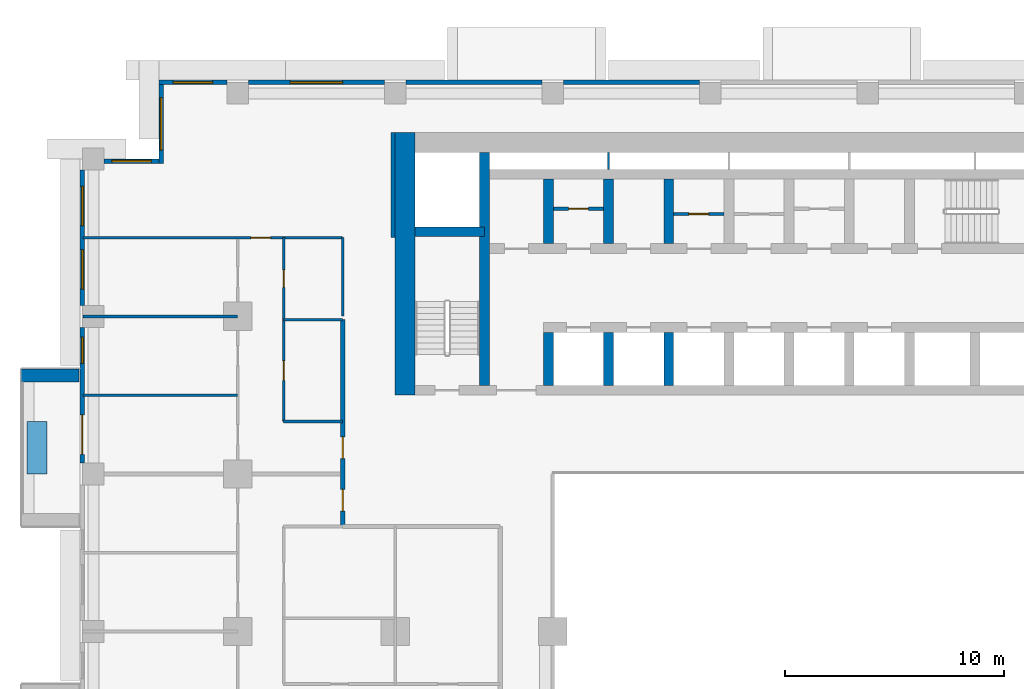
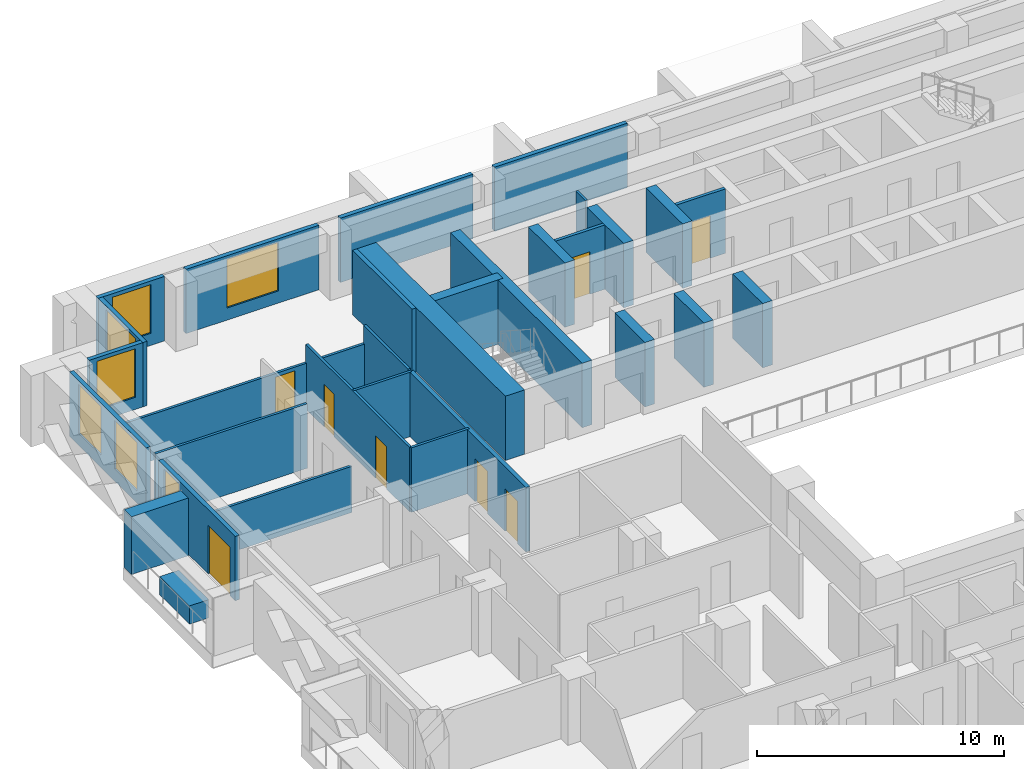
# One storey, part 9 of 17: 31 walls, 8 doors, 7 windows, 15 openings.
"""IFC4 building model written with IfcOpenShell, lengths in metres."""

from ifc_helpers import new_model, si_unit, direction, frame, frame_2d, origin, place, context, subcontext, project, spatial, rectangle, extrude, material, layer, layer_set, type_object, element, fill, save


model = new_model("IFC4")

# Units and contexts
model_context = context("Model", 3, precision=1e-05, world=origin(), true_north=direction((0.0, 1.0)))
body_context = subcontext(model_context, "Body", "Model", "MODEL_VIEW")
ifc_project = project(units=[si_unit("LENGTHUNIT", "METRE"), si_unit("AREAUNIT", "SQUARE_METRE"), si_unit("VOLUMEUNIT", "CUBIC_METRE"), si_unit("PLANEANGLEUNIT", "RADIAN"), si_unit("MASSUNIT", "GRAM", prefix="KILO")], contexts=[model_context])

# Site, building, storey
site_placement = place(None, origin())
site = spatial("IfcSite", under=ifc_project, at=site_placement, CompositionType="ELEMENT")
building_placement = place(site_placement, origin())
building = spatial("IfcBuilding", under=site, at=building_placement, Name="Saffron Iwan Residences", CompositionType="ELEMENT")
storey_placement = place(building_placement, frame((0.0, 0.0, 76.0)))
storey = spatial("IfcBuildingStorey", under=building, at=storey_placement, Name="L19", CompositionType="ELEMENT", Elevation=76.0)

# Walls
ifc_material_1 = material(Name="Concrete C50/60 white painted", Category="concrete")
ifc_layer_1 = layer(ifc_material_1, 0.60009765625)
ifc_layer_set_1 = layer_set([ifc_layer_1], Name="Concrete C50/60 white painted")
wall_type_1 = type_object("IfcWallType", Name="BALCONY FIN 600", PredefinedType="SOLIDWALL", material=ifc_layer_set_1)
wall_1_placement = place(storey_placement, frame((14.35009765625, 66.89990234375, 0.0), z_axis=(0.0, 0.0, 1.0), x_axis=(-1.0, 0.0, 0.0)))
element("IfcWall", 1, at=wall_1_placement, inside=storey, type_object=wall_type_1, Name="Balcony fin L19 F8-0a", PredefinedType="SOLIDWALL", context=body_context, shape_type="SweptSolid", body=[
    extrude(rectangle(XDim=2.650146484375, YDim=0.60009765625, at=frame_2d((1.3251953125, 0.0))), origin(), (0.0, 0.0, 1.0), 2.85009765625),
])
ifc_material_2 = material(Name="Concrete C35/45 white painted", Category="concrete")
ifc_layer_2 = layer(ifc_material_2, 0.14990234375)
ifc_layer_set_2 = layer_set([ifc_layer_2], Name="Concrete C35/45 white painted")
wall_type_2 = type_object("IfcWallType", Name="BALCONY PLANTER", PredefinedType="SOLIDWALL", material=ifc_layer_set_2)
wall_2_placement = place(storey_placement, frame((12.425048828125, 64.800048828125, 0.0), z_axis=(0.0, 0.0, 1.0), x_axis=(0.0, -1.0, 0.0)))
element("IfcWall", 2, at=wall_2_placement, inside=storey, type_object=wall_type_2, Name="PLANTER L19 F8-0", PredefinedType="SOLIDWALL", context=body_context, shape_type="SweptSolid", body=[
    extrude(rectangle(XDim=2.400146484375, YDim=0.89990234375, at=frame_2d((1.2001953125, 0.0))), origin(), (0.0, 0.0, 1.0), 0.89990234375),
])

# Wall, opening, door
ifc_material_3 = material(Name="Fire-rated plasterboard partition")
ifc_layer_3 = layer(ifc_material_3, 0.14990234375)
ifc_layer_set_3 = layer_set([ifc_layer_3], Name="Fire-rated plasterboard partition")
wall_type_3 = type_object("IfcWallType", Name="Core partition 150", PredefinedType="PARTITIONING", material=ifc_layer_set_3)
wall_3_placement = place(storey_placement, frame((36.02490234375, 74.51806640625, 0.0), z_axis=(0.0, 0.0, 1.0), x_axis=(1.0, 0.0, 0.0)))
wall_3 = element("IfcWall", 3, at=wall_3_placement, inside=storey, type_object=wall_type_3, Name="Core partition P01", PredefinedType="PARTITIONING", context=body_context, shape_type="SweptSolid", body=[
    extrude(rectangle(XDim=2.300048828125, YDim=0.14990234375, at=frame_2d((1.14990234375, 0.0))), origin(), (0.0, 0.0, 1.0), 3.179931640625),
])
opening_1_placement = place(wall_3_placement, frame((0.699951171875, 0.0, 0.0)))
opening_1 = element("IfcOpeningElement", 4, at=opening_1_placement, cuts=wall_3, Name="Opening SB", PredefinedType="OPENING", context=body_context, shape_type="SweptSolid", body=[
    extrude(rectangle(XDim=0.89990234375, YDim=2.10009765625, at=frame_2d((0.449951171875, 1.050048828125))), frame((0.0, 0.0849609375, 0.0), z_axis=(0.0, -1.0, 0.0), x_axis=(1.0, 0.0, 0.0)), (0.0, 0.0, 1.0), 0.169921875),
])
ifc_material_4 = material(Name="Steel fire door", Category="steel")
door_type_1 = type_object("IfcDoorType", Name="Store door 900", OperationType="NOTDEFINED", PredefinedType="DOOR", material=ifc_material_4)
door_1_placement = place(opening_1_placement, origin())
door_1 = element("IfcDoor", 5, at=door_1_placement, inside=storey, type_object=door_type_1, Name="Door Equipment store", OperationType="SINGLE_SWING_RIGHT", OverallHeight=2.10009765625, OverallWidth=0.89990234375, PredefinedType="DOOR", context=body_context, shape_type="SweptSolid", body=[
    extrude(rectangle(XDim=0.89990234375, YDim=2.10009765625, at=frame_2d((0.449951171875, 1.050048828125))), frame((0.0, 0.02490234375, 0.0), z_axis=(0.0, -1.0, 0.0), x_axis=(1.0, 0.0, 0.0)), (0.0, 0.0, 1.0), 0.050048828125),
])
fill(opening_1, door_1)

wall_4_placement = place(storey_placement, frame((41.52490234375, 74.281982421875, 0.0), z_axis=(0.0, 0.0, 1.0), x_axis=(1.0, 0.0, 0.0)))
wall_4 = element("IfcWall", 6, at=wall_4_placement, inside=storey, type_object=wall_type_3, Name="Core partition P02", PredefinedType="PARTITIONING", context=body_context, shape_type="SweptSolid", body=[
    extrude(rectangle(XDim=2.300048828125, YDim=0.14990234375, at=frame_2d((1.14990234375, 0.0))), origin(), (0.0, 0.0, 1.0), 3.179931640625),
])
opening_2_placement = place(wall_4_placement, frame((0.699951171875, 0.0, 0.0)))
opening_2 = element("IfcOpeningElement", 7, at=opening_2_placement, cuts=wall_4, Name="Opening SB", PredefinedType="OPENING", context=body_context, shape_type="SweptSolid", body=[
    extrude(rectangle(XDim=0.89990234375, YDim=2.10009765625, at=frame_2d((0.449951171875, 1.050048828125))), frame((0.0, 0.0849609375, 0.0), z_axis=(0.0, -1.0, 0.0), x_axis=(1.0, 0.0, 0.0)), (0.0, 0.0, 1.0), 0.169921875),
])
door_2_placement = place(opening_2_placement, origin())
door_2 = element("IfcDoor", 8, at=door_2_placement, inside=storey, type_object=door_type_1, Name="Door Spares store", OperationType="SINGLE_SWING_LEFT", OverallHeight=2.10009765625, OverallWidth=0.89990234375, PredefinedType="DOOR", context=body_context, shape_type="SweptSolid", body=[
    extrude(rectangle(XDim=0.89990234375, YDim=2.10009765625, at=frame_2d((0.449951171875, 1.050048828125))), frame((0.0, 0.02490234375, 0.0), z_axis=(0.0, -1.0, 0.0), x_axis=(1.0, 0.0, 0.0)), (0.0, 0.0, 1.0), 0.050048828125),
])
fill(opening_2, door_2)

# Walls
ifc_material_5 = material(Name="Concrete C40/50", Category="concrete")
ifc_layer_4 = layer(ifc_material_5, 0.199951171875)
ifc_layer_set_4 = layer_set([ifc_layer_4], Name="Concrete C40/50")
wall_type_4 = type_object("IfcWallType", Name="EXTERNAL WALL 200", PredefinedType="SOLIDWALL", material=ifc_layer_set_4)
for number, where, z_axis, x_axis, name in (
    (9, (42.699951171875, 80.300048828125, 0.0), (0.0, 0.0, 1.0), (-1.0, 0.0, 0.0), "External wall L19 F5.6"),
    (10, (35.5, 80.300048828125, 0.0), (0.0, 0.0, 1.0), (-1.0, 0.0, 0.0), "External wall L19 F5.7"),
):
    element("IfcWall", number, at=place(storey_placement, frame(where, z_axis=z_axis, x_axis=x_axis)), inside=storey, type_object=wall_type_4, Name=name, PredefinedType="SOLIDWALL", context=body_context, shape_type="SweptSolid", body=[
        extrude(rectangle(XDim=6.199951171875, YDim=0.199951171875, at=frame_2d((3.10009765625, 0.0))), origin(), (0.0, 0.0, 1.0), 3.179931640625),
    ])

# Wall, opening, window
wall_5_placement = place(storey_placement, frame((28.300048828125, 80.300048828125, 0.0), z_axis=(0.0, 0.0, 1.0), x_axis=(-1.0, 0.0, 0.0)))
wall_5 = element("IfcWall", 11, at=wall_5_placement, inside=storey, type_object=wall_type_4, Name="External wall L19 F5.8", PredefinedType="SOLIDWALL", context=body_context, shape_type="SweptSolid", body=[
    extrude(rectangle(XDim=6.199951171875, YDim=0.199951171875, at=frame_2d((3.10009765625, 0.0))), origin(), (0.0, 0.0, 1.0), 3.179931640625),
])
opening_3_placement = place(wall_5_placement, frame((1.89990234375, 0.0, 0.60009765625)))
opening_3 = element("IfcOpeningElement", 12, at=opening_3_placement, cuts=wall_5, Name="Opening W1", PredefinedType="OPENING", context=body_context, shape_type="SweptSolid", body=[
    extrude(rectangle(XDim=2.39990234375, YDim=2.39990234375, at=frame_2d((1.199951171875, 1.199951171875))), frame((0.0, 0.10986328125, 0.0), z_axis=(0.0, -1.0, 0.0), x_axis=(1.0, 0.0, 0.0)), (0.0, 0.0, 1.0), 0.219970703125),
])
ifc_material_6 = material(Name="Clear glass, laminated double glazed", Category="glass")
window_type_1 = type_object("IfcWindowType", Name="WINDOW 2400 x 2400", PartitioningType="DOUBLE_PANEL_VERTICAL", PredefinedType="WINDOW", material=ifc_material_6)
window_1_placement = place(opening_3_placement, origin())
window_1 = element("IfcWindow", 13, at=window_1_placement, inside=storey, type_object=window_type_1, Name="Window L19 F5.0", OverallHeight=2.39990234375, OverallWidth=2.39990234375, PartitioningType="DOUBLE_PANEL_VERTICAL", PredefinedType="WINDOW", context=body_context, shape_type="SweptSolid", body=[
    extrude(rectangle(XDim=2.39990234375, YDim=2.39990234375, at=frame_2d((1.199951171875, 1.199951171875))), frame((0.0, 0.030029296875, 0.0), z_axis=(0.0, -1.0, 0.0), x_axis=(1.0, 0.0, 0.0)), (0.0, 0.0, 1.0), 0.06005859375),
])
fill(opening_3, window_1)

wall_6_placement = place(storey_placement, frame((21.10009765625, 80.300048828125, 0.0), z_axis=(0.0, 0.0, 1.0), x_axis=(-1.0, 0.0, 0.0)))
wall_6 = element("IfcWall", 14, at=wall_6_placement, inside=storey, type_object=wall_type_4, Name="External wall L19 F5.9", PredefinedType="SOLIDWALL", context=body_context, shape_type="SweptSolid", body=[
    extrude(rectangle(XDim=3.10009765625, YDim=0.199951171875, at=frame_2d((1.550048828125, 0.0))), origin(), (0.0, 0.0, 1.0), 3.179931640625),
])
opening_4_placement = place(wall_6_placement, frame((0.64990234375, 0.0, 0.60009765625)))
opening_4 = element("IfcOpeningElement", 15, at=opening_4_placement, cuts=wall_6, Name="Opening W8", PredefinedType="OPENING", context=body_context, shape_type="SweptSolid", body=[
    extrude(rectangle(XDim=1.800048828125, YDim=2.39990234375, at=frame_2d((0.89990234375, 1.199951171875))), frame((0.0, 0.10986328125, 0.0), z_axis=(0.0, -1.0, 0.0), x_axis=(1.0, 0.0, 0.0)), (0.0, 0.0, 1.0), 0.219970703125),
])
window_type_2 = type_object("IfcWindowType", Name="WINDOW 1800 x 2400", PartitioningType="DOUBLE_PANEL_VERTICAL", PredefinedType="WINDOW", material=ifc_material_6)
window_2_placement = place(opening_4_placement, origin())
window_2 = element("IfcWindow", 16, at=window_2_placement, inside=storey, type_object=window_type_2, Name="Window L19 F5.0", OverallHeight=2.39990234375, OverallWidth=1.800048828125, PartitioningType="DOUBLE_PANEL_VERTICAL", PredefinedType="WINDOW", context=body_context, shape_type="SweptSolid", body=[
    extrude(rectangle(XDim=1.800048828125, YDim=2.39990234375, at=frame_2d((0.89990234375, 1.199951171875))), frame((0.0, 0.030029296875, 0.0), z_axis=(0.0, -1.0, 0.0), x_axis=(1.0, 0.0, 0.0)), (0.0, 0.0, 1.0), 0.06005859375),
])
fill(opening_4, window_2)

wall_7_placement = place(storey_placement, frame((18.10009765625, 80.199951171875, 0.0), z_axis=(0.0, 0.0, 1.0), x_axis=(0.0, -1.0, 0.0)))
wall_7 = element("IfcWall", 17, at=wall_7_placement, inside=storey, type_object=wall_type_4, Name="External wall L19 F6.0", PredefinedType="SOLIDWALL", context=body_context, shape_type="SweptSolid", body=[
    extrude(rectangle(XDim=3.599853515625, YDim=0.199951171875, at=frame_2d((1.7998046875, 0.0))), origin(), (0.0, 0.0, 1.0), 3.179931640625),
])
opening_5_placement = place(wall_7_placement, frame((0.60009765625, 0.0, 0.60009765625)))
opening_5 = element("IfcOpeningElement", 18, at=opening_5_placement, cuts=wall_7, Name="Opening W1", PredefinedType="OPENING", context=body_context, shape_type="SweptSolid", body=[
    extrude(rectangle(XDim=2.39990234375, YDim=2.39990234375, at=frame_2d((1.199951171875, 1.199951171875))), frame((0.0, 0.10986328125, 0.0), z_axis=(0.0, -1.0, 0.0), x_axis=(1.0, 0.0, 0.0)), (0.0, 0.0, 1.0), 0.219970703125),
])
window_3_placement = place(opening_5_placement, origin())
window_3 = element("IfcWindow", 19, at=window_3_placement, inside=storey, type_object=window_type_1, Name="Window L19 F6.0", OverallHeight=2.39990234375, OverallWidth=2.39990234375, PartitioningType="DOUBLE_PANEL_VERTICAL", PredefinedType="WINDOW", context=body_context, shape_type="SweptSolid", body=[
    extrude(rectangle(XDim=2.39990234375, YDim=2.39990234375, at=frame_2d((1.199951171875, 1.199951171875))), frame((0.0, 0.030029296875, 0.0), z_axis=(0.0, -1.0, 0.0), x_axis=(1.0, 0.0, 0.0)), (0.0, 0.0, 1.0), 0.06005859375),
])
fill(opening_5, window_3)

wall_8_placement = place(storey_placement, frame((18.0, 76.699951171875, 0.0), z_axis=(0.0, 0.0, 1.0), x_axis=(-1.0, 0.0, 0.0)))
wall_8 = element("IfcWall", 20, at=wall_8_placement, inside=storey, type_object=wall_type_4, Name="External wall L19 F7.0", PredefinedType="SOLIDWALL", context=body_context, shape_type="SweptSolid", body=[
    extrude(rectangle(XDim=2.5, YDim=0.199951171875, at=frame_2d((1.25, 0.0))), origin(), (0.0, 0.0, 1.0), 3.179931640625),
])
opening_6_placement = place(wall_8_placement, frame((0.35009765625, 0.0, 0.60009765625)))
opening_6 = element("IfcOpeningElement", 21, at=opening_6_placement, cuts=wall_8, Name="Opening W8", PredefinedType="OPENING", context=body_context, shape_type="SweptSolid", body=[
    extrude(rectangle(XDim=1.800048828125, YDim=2.39990234375, at=frame_2d((0.89990234375, 1.199951171875))), frame((0.0, 0.10986328125, 0.0), z_axis=(0.0, -1.0, 0.0), x_axis=(1.0, 0.0, 0.0)), (0.0, 0.0, 1.0), 0.219970703125),
])
window_4_placement = place(opening_6_placement, origin())
window_4 = element("IfcWindow", 22, at=window_4_placement, inside=storey, type_object=window_type_2, Name="Window L19 F7.0", OverallHeight=2.39990234375, OverallWidth=1.800048828125, PartitioningType="DOUBLE_PANEL_VERTICAL", PredefinedType="WINDOW", context=body_context, shape_type="SweptSolid", body=[
    extrude(rectangle(XDim=1.800048828125, YDim=2.39990234375, at=frame_2d((0.89990234375, 1.199951171875))), frame((0.0, 0.030029296875, 0.0), z_axis=(0.0, -1.0, 0.0), x_axis=(1.0, 0.0, 0.0)), (0.0, 0.0, 1.0), 0.06005859375),
])
fill(opening_6, window_4)

# Wall, openings, windows
wall_9_placement = place(storey_placement, frame((14.5, 76.300048828125, 0.0), z_axis=(0.0, 0.0, 1.0), x_axis=(0.0, -1.0, 0.0)))
wall_9 = element("IfcWall", 23, at=wall_9_placement, inside=storey, type_object=wall_type_4, Name="External wall L19 F8.0", PredefinedType="SOLIDWALL", context=body_context, shape_type="SweptSolid", body=[
    extrude(rectangle(XDim=6.199951171875, YDim=0.199951171875, at=frame_2d((3.10009765625, 0.0))), origin(), (0.0, 0.0, 1.0), 3.179931640625),
])
opening_7_placement = place(wall_9_placement, frame((3.64990234375, 0.0, 0.60009765625)))
opening_7 = element("IfcOpeningElement", 24, at=opening_7_placement, cuts=wall_9, Name="Opening W8", PredefinedType="OPENING", context=body_context, shape_type="SweptSolid", body=[
    extrude(rectangle(XDim=1.800048828125, YDim=2.39990234375, at=frame_2d((0.89990234375, 1.199951171875))), frame((0.0, 0.10986328125, 0.0), z_axis=(0.0, -1.0, 0.0), x_axis=(1.0, 0.0, 0.0)), (0.0, 0.0, 1.0), 0.219970703125),
])
opening_8_placement = place(wall_9_placement, frame((0.75, 0.0, 0.60009765625)))
opening_8 = element("IfcOpeningElement", 25, at=opening_8_placement, cuts=wall_9, Name="Opening W8", PredefinedType="OPENING", context=body_context, shape_type="SweptSolid", body=[
    extrude(rectangle(XDim=1.800048828125, YDim=2.39990234375, at=frame_2d((0.89990234375, 1.199951171875))), frame((0.0, 0.10986328125, 0.0), z_axis=(0.0, -1.0, 0.0), x_axis=(1.0, 0.0, 0.0)), (0.0, 0.0, 1.0), 0.219970703125),
])
window_5_placement = place(opening_7_placement, origin())
window_5 = element("IfcWindow", 26, at=window_5_placement, inside=storey, type_object=window_type_2, Name="Window L19 F8.0", OverallHeight=2.39990234375, OverallWidth=1.800048828125, PartitioningType="DOUBLE_PANEL_VERTICAL", PredefinedType="WINDOW", context=body_context, shape_type="SweptSolid", body=[
    extrude(rectangle(XDim=1.800048828125, YDim=2.39990234375, at=frame_2d((0.89990234375, 1.199951171875))), frame((0.0, 0.030029296875, 0.0), z_axis=(0.0, -1.0, 0.0), x_axis=(1.0, 0.0, 0.0)), (0.0, 0.0, 1.0), 0.06005859375),
])
fill(opening_7, window_5)
window_6_placement = place(opening_8_placement, origin())
window_6 = element("IfcWindow", 27, at=window_6_placement, inside=storey, type_object=window_type_2, Name="Window L19 F8.1", OverallHeight=2.39990234375, OverallWidth=1.800048828125, PartitioningType="DOUBLE_PANEL_VERTICAL", PredefinedType="WINDOW", context=body_context, shape_type="SweptSolid", body=[
    extrude(rectangle(XDim=1.800048828125, YDim=2.39990234375, at=frame_2d((0.89990234375, 1.199951171875))), frame((0.0, 0.030029296875, 0.0), z_axis=(0.0, -1.0, 0.0), x_axis=(1.0, 0.0, 0.0)), (0.0, 0.0, 1.0), 0.06005859375),
])
fill(opening_8, window_6)

# Wall, openings, door, window
wall_10_placement = place(storey_placement, frame((14.5, 69.10009765625, 0.0), z_axis=(0.0, 0.0, 1.0), x_axis=(0.0, -1.0, 0.0)))
wall_10 = element("IfcWall", 28, at=wall_10_placement, inside=storey, type_object=wall_type_4, Name="External wall L19 F8.1", PredefinedType="SOLIDWALL", context=body_context, shape_type="SweptSolid", body=[
    extrude(rectangle(XDim=6.2001953125, YDim=0.199951171875, at=frame_2d((3.10009765625, 0.0))), origin(), (0.0, 0.0, 1.0), 3.179931640625),
])
opening_9_placement = place(wall_10_placement, frame((4.0, 0.0, 0.0)))
opening_9 = element("IfcOpeningElement", 29, at=opening_9_placement, cuts=wall_10, Name="Opening BD1", PredefinedType="OPENING", context=body_context, shape_type="SweptSolid", body=[
    extrude(rectangle(XDim=1.800048828125, YDim=2.39990234375, at=frame_2d((0.89990234375, 1.199951171875))), frame((0.0, 0.10986328125, 0.0), z_axis=(0.0, -1.0, 0.0), x_axis=(1.0, 0.0, 0.0)), (0.0, 0.0, 1.0), 0.219970703125),
])
opening_10_placement = place(wall_10_placement, frame((0.449951171875, 0.0, 0.60009765625)))
opening_10 = element("IfcOpeningElement", 30, at=opening_10_placement, cuts=wall_10, Name="Opening W3", PredefinedType="OPENING", context=body_context, shape_type="SweptSolid", body=[
    extrude(rectangle(XDim=1.199951171875, YDim=2.39990234375, at=frame_2d((0.60009765625, 1.199951171875))), frame((0.0, 0.10986328125, 0.0), z_axis=(0.0, -1.0, 0.0), x_axis=(1.0, 0.0, 0.0)), (0.0, 0.0, 1.0), 0.219970703125),
])
door_type_2 = type_object("IfcDoorType", Name="BALCONY DOOR 1800 x 2400", OperationType="DOUBLE_DOOR_SLIDING", PredefinedType="DOOR", material=ifc_material_6)
door_3_placement = place(opening_9_placement, origin())
door_3 = element("IfcDoor", 31, at=door_3_placement, inside=storey, type_object=door_type_2, Name="Balcony door L19 F8.0", OperationType="DOUBLE_DOOR_SLIDING", OverallHeight=2.39990234375, OverallWidth=1.800048828125, PredefinedType="DOOR", context=body_context, shape_type="SweptSolid", body=[
    extrude(rectangle(XDim=1.800048828125, YDim=2.39990234375, at=frame_2d((0.89990234375, 1.199951171875))), frame((0.0, 0.02490234375, 0.0), z_axis=(0.0, -1.0, 0.0), x_axis=(1.0, 0.0, 0.0)), (0.0, 0.0, 1.0), 0.050048828125),
])
fill(opening_9, door_3)
window_type_3 = type_object("IfcWindowType", Name="WINDOW 1200 x 2400", PartitioningType="SINGLE_PANEL", PredefinedType="WINDOW", material=ifc_material_6)
window_7_placement = place(opening_10_placement, origin())
window_7 = element("IfcWindow", 32, at=window_7_placement, inside=storey, type_object=window_type_3, Name="Window L19 F8.1", OverallHeight=2.39990234375, OverallWidth=1.199951171875, PartitioningType="SINGLE_PANEL", PredefinedType="WINDOW", context=body_context, shape_type="SweptSolid", body=[
    extrude(rectangle(XDim=1.199951171875, YDim=2.39990234375, at=frame_2d((0.60009765625, 1.199951171875))), frame((0.0, 0.030029296875, 0.0), z_axis=(0.0, -1.0, 0.0), x_axis=(1.0, 0.0, 0.0)), (0.0, 0.0, 1.0), 0.06005859375),
])
fill(opening_10, window_7)

# Walls
ifc_material_7 = material(Name="Gypsum board partition")
ifc_layer_5 = layer(ifc_material_7, 0.1201171875)
ifc_layer_set_5 = layer_set([ifc_layer_5], Name="Gypsum board partition")
wall_type_5 = type_object("IfcWallType", Name="Flat partition 120", PredefinedType="PARTITIONING", material=ifc_layer_set_5)
wall_11_placement = place(storey_placement, frame((23.699951171875, 64.800048828125, 0.0), z_axis=(0.0, 0.0, 1.0), x_axis=(1.0, 0.0, 0.0)))
element("IfcWall", 33, at=wall_11_placement, inside=storey, type_object=wall_type_5, Name="W-L19-PART-h64.8-23.7", PredefinedType="PARTITIONING", context=body_context, shape_type="SweptSolid", body=[
    extrude(rectangle(XDim=2.699951171875, YDim=0.1201171875, at=frame_2d((1.35009765625, 0.0))), origin(), (0.0, 0.0, 1.0), 3.179931640625),
])
wall_12_placement = place(storey_placement, frame((14.52490234375, 66.0, 0.0), z_axis=(0.0, 0.0, 1.0), x_axis=(1.0, 0.0, 0.0)))
element("IfcWall", 34, at=wall_12_placement, inside=storey, type_object=wall_type_5, Name="W-L19-PART-h66-14.525", PredefinedType="PARTITIONING", context=body_context, shape_type="SweptSolid", body=[
    extrude(rectangle(XDim=7.0751953125, YDim=0.1201171875, at=frame_2d((3.53759765625, 0.0))), origin(), (0.0, 0.0, 1.0), 2.280029296875),
])
wall_13_placement = place(storey_placement, frame((23.699951171875, 69.449951171875, 0.0), z_axis=(0.0, 0.0, 1.0), x_axis=(1.0, 0.0, 0.0)))
element("IfcWall", 35, at=wall_13_placement, inside=storey, type_object=wall_type_5, Name="W-L19-PART-h69.45-23.7", PredefinedType="PARTITIONING", context=body_context, shape_type="SweptSolid", body=[
    extrude(rectangle(XDim=2.699951171875, YDim=0.1201171875, at=frame_2d((1.35009765625, 0.0))), origin(), (0.0, 0.0, 1.0), 3.179931640625),
])
wall_14_placement = place(storey_placement, frame((14.52490234375, 69.60009765625, 0.0), z_axis=(0.0, 0.0, 1.0), x_axis=(1.0, 0.0, 0.0)))
element("IfcWall", 36, at=wall_14_placement, inside=storey, type_object=wall_type_5, Name="W-L19-PART-h69.6-14.525", PredefinedType="PARTITIONING", context=body_context, shape_type="SweptSolid", body=[
    extrude(rectangle(XDim=7.0751953125, YDim=0.1201171875, at=frame_2d((3.53759765625, 0.0))), origin(), (0.0, 0.0, 1.0), 3.179931640625),
])

# Wall, opening, door
wall_15_placement = place(storey_placement, frame((14.52490234375, 73.199951171875, 0.0), z_axis=(0.0, 0.0, 1.0), x_axis=(1.0, 0.0, 0.0)))
wall_15 = element("IfcWall", 37, at=wall_15_placement, inside=storey, type_object=wall_type_5, Name="W-L19-PART-h73.2-14.525", PredefinedType="PARTITIONING", context=body_context, shape_type="SweptSolid", body=[
    extrude(rectangle(XDim=11.875, YDim=0.1201171875, at=frame_2d((5.9375, 0.0))), origin(), (0.0, 0.0, 1.0), 2.280029296875),
])
opening_11_placement = place(wall_15_placement, frame((7.675048828125, 0.0, 0.0)))
opening_11 = element("IfcOpeningElement", 38, at=opening_11_placement, cuts=wall_15, Name="Opening FD2", PredefinedType="OPENING", context=body_context, shape_type="SweptSolid", body=[
    extrude(rectangle(XDim=0.89990234375, YDim=2.10009765625, at=frame_2d((0.449951171875, 1.050048828125))), frame((0.0, 0.070068359375, 0.0), z_axis=(0.0, -1.0, 0.0), x_axis=(1.0, 0.0, 0.0)), (0.0, 0.0, 1.0), 0.14013671875),
])
ifc_material_8 = material(Name="Timber door", Category="wood")
door_type_3 = type_object("IfcDoorType", Name="Flat door 900", OperationType="NOTDEFINED", PredefinedType="DOOR", material=ifc_material_8)
door_4_placement = place(opening_11_placement, origin())
door_4 = element("IfcDoor", 39, at=door_4_placement, inside=storey, type_object=door_type_3, Name="Door L19-033", OperationType="SINGLE_SWING_RIGHT", OverallHeight=2.10009765625, OverallWidth=0.89990234375, PredefinedType="DOOR", context=body_context, shape_type="SweptSolid", body=[
    extrude(rectangle(XDim=0.89990234375, YDim=2.10009765625, at=frame_2d((0.449951171875, 1.050048828125))), frame((0.0, 0.02490234375, 0.0), z_axis=(0.0, -1.0, 0.0), x_axis=(1.0, 0.0, 0.0)), (0.0, 0.0, 1.0), 0.050048828125),
])
fill(opening_11, door_4)

# Wall, openings, doors
wall_16_placement = place(storey_placement, frame((23.699951171875, 64.800048828125, 0.0), z_axis=(0.0, 0.0, 1.0), x_axis=(0.0, 1.0, 0.0)))
wall_16 = element("IfcWall", 40, at=wall_16_placement, inside=storey, type_object=wall_type_5, Name="W-L19-PART-v23.7-64.8", PredefinedType="PARTITIONING", context=body_context, shape_type="SweptSolid", body=[
    extrude(rectangle(XDim=8.39990234375, YDim=0.1201171875, at=frame_2d((4.199951171875, 0.0))), origin(), (0.0, 0.0, 1.0), 3.179931640625),
])
opening_12_placement = place(wall_16_placement, frame((1.875, 0.0, 0.0)))
opening_12 = element("IfcOpeningElement", 41, at=opening_12_placement, cuts=wall_16, Name="Opening FD2", PredefinedType="OPENING", context=body_context, shape_type="SweptSolid", body=[
    extrude(rectangle(XDim=0.89990234375, YDim=2.10009765625, at=frame_2d((0.449951171875, 1.050048828125))), frame((0.0, 0.070068359375, 0.0), z_axis=(0.0, -1.0, 0.0), x_axis=(1.0, 0.0, 0.0)), (0.0, 0.0, 1.0), 0.14013671875),
])
opening_13_placement = place(wall_16_placement, frame((6.125, 0.0, 0.0)))
opening_13 = element("IfcOpeningElement", 42, at=opening_13_placement, cuts=wall_16, Name="Opening FD3", PredefinedType="OPENING", context=body_context, shape_type="SweptSolid", body=[
    extrude(rectangle(XDim=0.800048828125, YDim=2.10009765625, at=frame_2d((0.39990234375, 1.050048828125))), frame((0.0, 0.070068359375, 0.0), z_axis=(0.0, -1.0, 0.0), x_axis=(1.0, 0.0, 0.0)), (0.0, 0.0, 1.0), 0.14013671875),
])
door_type_4 = type_object("IfcDoorType", Name="Bathroom door 800", OperationType="NOTDEFINED", PredefinedType="DOOR", material=ifc_material_8)
door_5_placement = place(opening_13_placement, origin())
door_5 = element("IfcDoor", 43, at=door_5_placement, inside=storey, type_object=door_type_4, Name="Door L19-035", OperationType="SINGLE_SWING_LEFT", OverallHeight=2.10009765625, OverallWidth=0.800048828125, PredefinedType="DOOR", context=body_context, shape_type="SweptSolid", body=[
    extrude(rectangle(XDim=0.800048828125, YDim=2.10009765625, at=frame_2d((0.39990234375, 1.050048828125))), frame((0.0, 0.02490234375, 0.0), z_axis=(0.0, -1.0, 0.0), x_axis=(1.0, 0.0, 0.0)), (0.0, 0.0, 1.0), 0.050048828125),
])
fill(opening_13, door_5)
door_6_placement = place(opening_12_placement, origin())
door_6 = element("IfcDoor", 44, at=door_6_placement, inside=storey, type_object=door_type_3, Name="Door L19-034", OperationType="SINGLE_SWING_LEFT", OverallHeight=2.10009765625, OverallWidth=0.89990234375, PredefinedType="DOOR", context=body_context, shape_type="SweptSolid", body=[
    extrude(rectangle(XDim=0.89990234375, YDim=2.10009765625, at=frame_2d((0.449951171875, 1.050048828125))), frame((0.0, 0.02490234375, 0.0), z_axis=(0.0, -1.0, 0.0), x_axis=(1.0, 0.0, 0.0)), (0.0, 0.0, 1.0), 0.050048828125),
])
fill(opening_12, door_6)

# Wall
wall_17_placement = place(storey_placement, frame((26.39990234375, 69.6201171875, 0.0), z_axis=(0.0, 0.0, 1.0), x_axis=(0.0, 1.0, 0.0)))
element("IfcWall", 45, at=wall_17_placement, inside=storey, type_object=wall_type_5, Name="W-L19-PART-v26.4-69.62", PredefinedType="PARTITIONING", context=body_context, shape_type="SweptSolid", body=[
    extrude(rectangle(XDim=3.579833984375, YDim=0.1201171875, at=frame_2d((1.7900390625, 0.0))), origin(), (0.0, 0.0, 1.0), 3.179931640625),
])

# Wall, openings, doors
ifc_material_9 = material(Name="Fire-rated gypsum board wall")
ifc_layer_6 = layer(ifc_material_9, 0.199951171875)
ifc_layer_set_6 = layer_set([ifc_layer_6], Name="Fire-rated gypsum board wall")
wall_type_6 = type_object("IfcWallType", Name="Gallery wall 200", PredefinedType="SOLIDWALL", material=ifc_layer_set_6)
wall_18_placement = place(storey_placement, frame((26.39990234375, 60.0, 0.0), z_axis=(0.0, 0.0, 1.0), x_axis=(0.0, 1.0, 0.0)))
wall_18 = element("IfcWall", 46, at=wall_18_placement, inside=storey, type_object=wall_type_6, Name="W-L19-CORR-v26.4-60", PredefinedType="SOLIDWALL", context=body_context, shape_type="SweptSolid", body=[
    extrude(rectangle(XDim=9.449951171875, YDim=0.199951171875, at=frame_2d((4.72509765625, 0.0))), origin(), (0.0, 0.0, 1.0), 3.179931640625),
])
opening_14_placement = place(wall_18_placement, frame((0.699951171875, 0.0, 0.0)))
opening_14 = element("IfcOpeningElement", 47, at=opening_14_placement, cuts=wall_18, Name="Opening FD1", PredefinedType="OPENING", context=body_context, shape_type="SweptSolid", body=[
    extrude(rectangle(XDim=1.0, YDim=2.10009765625, at=frame_2d((0.5, 1.050048828125))), frame((0.0, 0.10986328125, 0.0), z_axis=(0.0, -1.0, 0.0), x_axis=(1.0, 0.0, 0.0)), (0.0, 0.0, 1.0), 0.219970703125),
])
opening_15_placement = place(wall_18_placement, frame((3.10009765625, 0.0, 0.0)))
opening_15 = element("IfcOpeningElement", 48, at=opening_15_placement, cuts=wall_18, Name="Opening FD1", PredefinedType="OPENING", context=body_context, shape_type="SweptSolid", body=[
    extrude(rectangle(XDim=1.0, YDim=2.10009765625, at=frame_2d((0.5, 1.050048828125))), frame((0.0, 0.10986328125, 0.0), z_axis=(0.0, -1.0, 0.0), x_axis=(1.0, 0.0, 0.0)), (0.0, 0.0, 1.0), 0.219970703125),
])
ifc_material_10 = material(Name="Fire-rated timber door", Category="wood")
door_type_5 = type_object("IfcDoorType", Name="FD30S flat entrance door 1000", OperationType="NOTDEFINED", PredefinedType="DOOR", material=ifc_material_10)
door_7_placement = place(opening_14_placement, origin())
door_7 = element("IfcDoor", 49, at=door_7_placement, inside=storey, type_object=door_type_5, Name="Door L19-013", OperationType="SINGLE_SWING_LEFT", OverallHeight=2.10009765625, OverallWidth=1.0, PredefinedType="DOOR", context=body_context, shape_type="SweptSolid", body=[
    extrude(rectangle(XDim=1.0, YDim=2.10009765625, at=frame_2d((0.5, 1.050048828125))), frame((0.0, 0.02490234375, 0.0), z_axis=(0.0, -1.0, 0.0), x_axis=(1.0, 0.0, 0.0)), (0.0, 0.0, 1.0), 0.050048828125),
])
fill(opening_14, door_7)
door_8_placement = place(opening_15_placement, origin())
door_8 = element("IfcDoor", 50, at=door_8_placement, inside=storey, type_object=door_type_5, Name="Door L19-029", OperationType="SINGLE_SWING_LEFT", OverallHeight=2.10009765625, OverallWidth=1.0, PredefinedType="DOOR", context=body_context, shape_type="SweptSolid", body=[
    extrude(rectangle(XDim=1.0, YDim=2.10009765625, at=frame_2d((0.5, 1.050048828125))), frame((0.0, 0.02490234375, 0.0), z_axis=(0.0, -1.0, 0.0), x_axis=(1.0, 0.0, 0.0)), (0.0, 0.0, 1.0), 0.050048828125),
])
fill(opening_15, door_8)

# Walls
wall_19_placement = place(storey_placement, frame((28.699951171875, 73.199951171875, 0.0), z_axis=(0.0, 0.0, 1.0), x_axis=(0.0, 1.0, 0.0)))
element("IfcWall", 51, at=wall_19_placement, inside=storey, type_object=wall_type_6, Name="W-L19-CORR-v28.8-73.2", PredefinedType="SOLIDWALL", context=body_context, shape_type="SweptSolid", body=[
    extrude(rectangle(XDim=4.800048828125, YDim=0.199951171875, at=frame_2d((2.39990234375, 0.0))), origin(), (0.0, 0.0, 1.0), 3.179931640625),
])
ifc_layer_7 = layer(ifc_material_3, 0.10009765625)
ifc_layer_set_7 = layer_set([ifc_layer_7], Name="Fire-rated plasterboard partition")
wall_type_7 = type_object("IfcWallType", Name="Riser partition 100", PredefinedType="PARTITIONING", material=ifc_layer_set_7)
wall_20_placement = place(storey_placement, frame((38.550048828125, 76.324951171875, 0.0), z_axis=(0.0, 0.0, 1.0), x_axis=(0.0, 1.0, 0.0)))
element("IfcWall", 52, at=wall_20_placement, inside=storey, type_object=wall_type_7, Name="Core partition P05", PredefinedType="PARTITIONING", context=body_context, shape_type="SweptSolid", body=[
    extrude(rectangle(XDim=0.775146484375, YDim=0.10009765625, at=frame_2d((0.3876953125, 0.0))), origin(), (0.0, 0.0, 1.0), 3.179931640625),
])
ifc_material_11 = material(Name="Concrete C60/75", Category="concrete")
ifc_layer_8 = layer(ifc_material_11, 0.449951171875)
ifc_layer_set_8 = layer_set([ifc_layer_8], Name="Concrete C60/75")
wall_type_8 = type_object("IfcWallType", Name="WALL CORE 450 C60/75 3180 HIGH", PredefinedType="SHEAR", material=ifc_layer_set_8)
wall_21_placement = place(storey_placement, frame((29.699951171875, 73.47509765625, 0.0), z_axis=(0.0, 0.0, 1.0), x_axis=(1.0, 0.0, 0.0)))
element("IfcWall", 53, at=wall_21_placement, inside=storey, type_object=wall_type_8, Name="Core wall", PredefinedType="SHEAR", context=body_context, shape_type="SweptSolid", body=[
    extrude(rectangle(XDim=3.175048828125, YDim=0.449951171875, at=frame_2d((1.58740234375, 0.0))), origin(), (0.0, 0.0, 1.0), 3.179931640625),
])
wall_22_placement = place(storey_placement, frame((32.875, 66.449951171875, 0.0), z_axis=(0.0, 0.0, 1.0), x_axis=(0.0, 1.0, 0.0)))
element("IfcWall", 54, at=wall_22_placement, inside=storey, type_object=wall_type_8, Name="Core wall", PredefinedType="SHEAR", context=body_context, shape_type="SweptSolid", body=[
    extrude(rectangle(XDim=10.650146484375, YDim=0.449951171875, at=frame_2d((5.3251953125, 0.0))), origin(), (0.0, 0.0, 1.0), 3.179931640625),
])
for number, where, z_axis, x_axis, name in (
    (55, (35.800048828125, 66.449951171875, 0.0), (0.0, 0.0, 1.0), (0.0, 1.0, 0.0), "Core wall"),
    (56, (38.550048828125, 66.449951171875, 0.0), (0.0, 0.0, 1.0), (0.0, 1.0, 0.0), "Core wall"),
    (57, (41.300048828125, 66.449951171875, 0.0), (0.0, 0.0, 1.0), (0.0, 1.0, 0.0), "Core wall"),
):
    element("IfcWall", number, at=place(storey_placement, frame(where, z_axis=z_axis, x_axis=x_axis)), inside=storey, type_object=wall_type_8, Name=name, PredefinedType="SHEAR", context=body_context, shape_type="SweptSolid", body=[
        extrude(rectangle(XDim=2.425048828125, YDim=0.449951171875, at=frame_2d((1.21240234375, 0.0))), origin(), (0.0, 0.0, 1.0), 3.179931640625),
    ])
for number, where, z_axis, x_axis, name in (
    (58, (35.800048828125, 72.925048828125, 0.0), (0.0, 0.0, 1.0), (0.0, 1.0, 0.0), "Core wall"),
    (59, (38.550048828125, 72.925048828125, 0.0), (0.0, 0.0, 1.0), (0.0, 1.0, 0.0), "Core wall"),
    (60, (41.300048828125, 72.925048828125, 0.0), (0.0, 0.0, 1.0), (0.0, 1.0, 0.0), "Core wall"),
):
    element("IfcWall", number, at=place(storey_placement, frame(where, z_axis=z_axis, x_axis=x_axis)), inside=storey, type_object=wall_type_8, Name=name, PredefinedType="SHEAR", context=body_context, shape_type="SweptSolid", body=[
        extrude(rectangle(XDim=2.949951171875, YDim=0.449951171875, at=frame_2d((1.47509765625, 0.0))), origin(), (0.0, 0.0, 1.0), 3.179931640625),
    ])
ifc_layer_9 = layer(ifc_material_11, 0.89990234375)
ifc_layer_set_9 = layer_set([ifc_layer_9], Name="Concrete C60/75")
wall_type_9 = type_object("IfcWallType", Name="WALL CORE 900 C60/75 3180 HIGH", PredefinedType="SHEAR", material=ifc_layer_set_9)
wall_23_placement = place(storey_placement, frame((29.25, 66.0, 0.0), z_axis=(0.0, 0.0, 1.0), x_axis=(0.0, 1.0, 0.0)))
element("IfcWall", 61, at=wall_23_placement, inside=storey, type_object=wall_type_9, Name="Core wall", PredefinedType="SHEAR", context=body_context, shape_type="SweptSolid", body=[
    extrude(rectangle(XDim=12.0, YDim=0.89990234375, at=frame_2d((6.0, 0.0))), origin(), (0.0, 0.0, 1.0), 3.179931640625),
])

save(model, "model.ifc")
